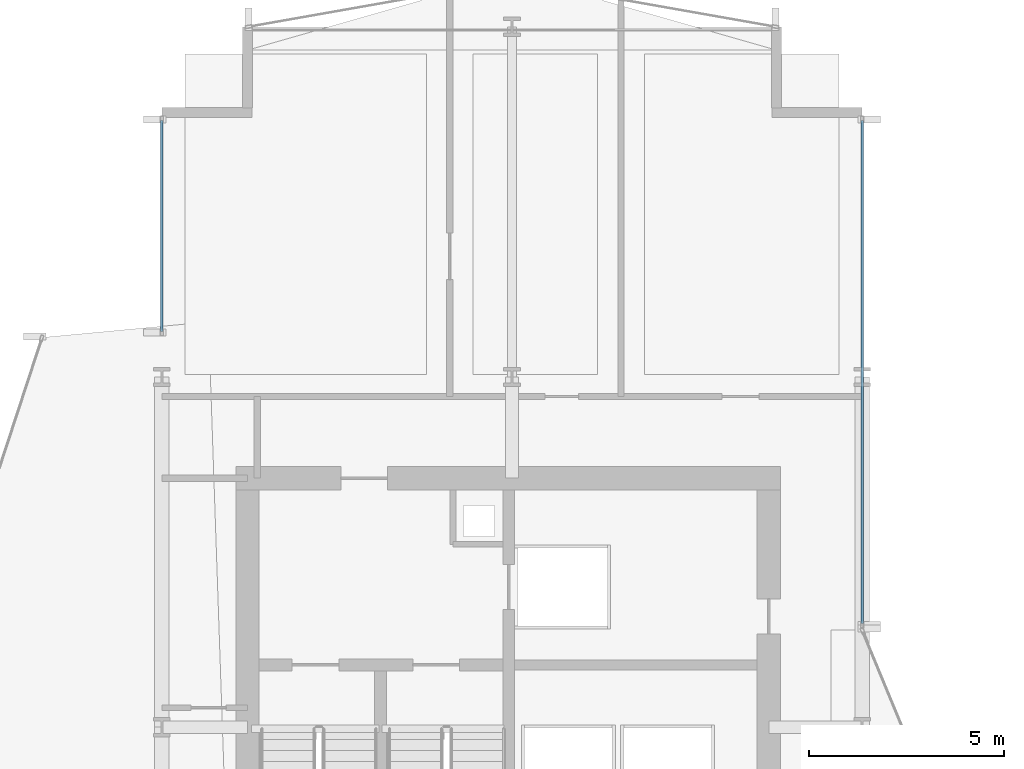
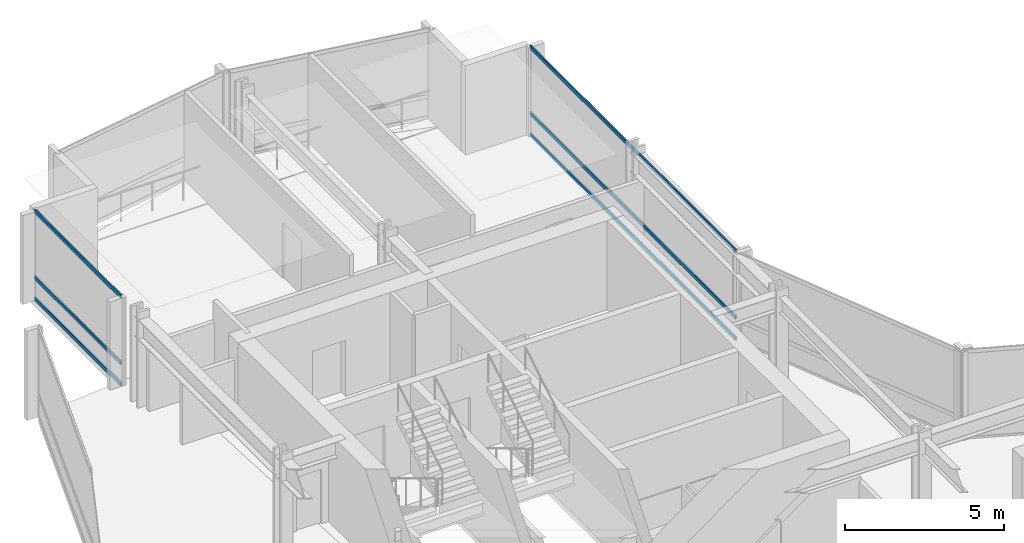
# One storey, part 22 of 34: 6 members, 2 elements without a shape of their own.
"""IFC4 building model written with IfcOpenShell, lengths in metres."""

import ifcopenshell
import ifcopenshell.guid

model = None  # the IFC model being written
_history = None  # IfcOwnerHistory: only IFC2X3 demands one
_inside = {}  # id of a spatial element -> (the spatial element, [elements in it])
_under = {}  # id of a project, library or spatial element -> (it, [spatial elements below it])
_declared = {}  # id of a project -> (the project, [libraries it declares])
_typed = {}  # id of a type object -> (the type object, [elements of that type])
_made_of = {}  # id of a material, layer set ... -> (it, [elements and type objects made of it])


def new_model(schema):
    """Start an empty IFC model of exactly this schema.

    Asked for "IFC4X3", IfcOpenShell would pick the latest addendum, in which some entities
    have other attributes; the version numbers below select the first issue.
    IFC2X3 requires an IfcOwnerHistory on every rooted entity: one is made here for all.
    """
    global model, _history
    if schema == "IFC4X3":
        model = ifcopenshell.file(schema_version=(4, 3, 0, 0))
    else:
        model = ifcopenshell.file(schema=schema)
    _inside.clear()
    _under.clear()
    _declared.clear()
    _typed.clear()
    _made_of.clear()
    _history = None
    if model.schema == "IFC2X3":
        org = make("IfcOrganization", Name="unknown")
        user = make(
            "IfcPersonAndOrganization",
            ThePerson=make("IfcPerson", FamilyName="unknown"),
            TheOrganization=org,
        )
        app = make(
            "IfcApplication",
            ApplicationDeveloper=org,
            Version="unknown",
            ApplicationFullName="unknown",
            ApplicationIdentifier="unknown",
        )
        _history = make(
            "IfcOwnerHistory",
            OwningUser=user,
            OwningApplication=app,
            ChangeAction="ADDED",
            CreationDate=0,
        )
    return model


def make(cls, **values):
    """One entity of the class cls with the attributes given. An attribute that is None is left unset."""
    return model.create_entity(
        cls, **{name: value for name, value in values.items() if value is not None}
    )


def rooted(cls, **values):
    """An entity with a GlobalId (a new one), such as an element, a storey or a relation."""
    return make(cls, GlobalId=ifcopenshell.guid.new(), OwnerHistory=_history, **values)


def si_unit(unit_type, name, prefix=None):
    """IfcSIUnit, for example si_unit("LENGTHUNIT", "METRE", prefix="MILLI")."""
    return make("IfcSIUnit", UnitType=unit_type, Prefix=prefix, Name=name)


def assignment(units):
    """IfcUnitAssignment: the units of a project."""
    return None if units is None else make("IfcUnitAssignment", Units=units)


def point(xyz):
    """IfcCartesianPoint."""
    return None if xyz is None else make("IfcCartesianPoint", Coordinates=xyz)


def direction(xyz):
    """IfcDirection."""
    return None if xyz is None else make("IfcDirection", DirectionRatios=xyz)


def frame(location, z_axis=None, x_axis=None):
    """IfcAxis2Placement3D, a coordinate frame: its origin and axes. An axis left out is left unset."""
    return make(
        "IfcAxis2Placement3D",
        Location=point(location),
        Axis=direction(z_axis),
        RefDirection=direction(x_axis),
    )


def frame_2d(location, x_axis=None):
    """IfcAxis2Placement2D, a coordinate frame in the plane: its origin and x axis."""
    return make(
        "IfcAxis2Placement2D", Location=point(location), RefDirection=direction(x_axis)
    )


def origin():
    """The frame at (0, 0, 0) with its axes left unset."""
    return frame((0.0, 0.0, 0.0))


def origin_2d():
    """The frame at (0, 0) in the plane with its x axis left unset."""
    return frame_2d((0.0, 0.0))


def place(relative_to, where):
    """IfcLocalPlacement: puts the frame where relative to a parent placement (None: the world)."""
    return make(
        "IfcLocalPlacement", PlacementRelTo=relative_to, RelativePlacement=where
    )


def context(
    kind, dimensions, precision=None, world=None, true_north=None, identifier=None
):
    """IfcGeometricRepresentationContext, for example the 3D "Model" context."""
    return make(
        "IfcGeometricRepresentationContext",
        ContextIdentifier=identifier,
        ContextType=kind,
        CoordinateSpaceDimension=dimensions,
        Precision=precision,
        WorldCoordinateSystem=world,
        TrueNorth=true_north,
    )


def subcontext(parent, identifier, kind, view, scale=None):
    """IfcGeometricRepresentationSubContext, for example "Body" below "Model"."""
    return make(
        "IfcGeometricRepresentationSubContext",
        ContextIdentifier=identifier,
        ContextType=kind,
        ParentContext=parent,
        TargetScale=scale,
        TargetView=view,
    )


def project(units=None, contexts=None):
    """IfcProject with its units and contexts."""
    return rooted(
        "IfcProject",
        Name="project",
        RepresentationContexts=contexts,
        UnitsInContext=assignment(units),
    )


def spatial(cls, under=None, at=None, **own):
    """A site, building, storey or space (cls), placed at a placement, below another one or the project."""
    s = rooted(cls, ObjectPlacement=at, **own)
    if under is not None:
        _under.setdefault(under.id(), (under, []))[1].append(s)
    return s


def profile(cls, at=None, kind="AREA", **sizes):
    """A parametric profile (cls). Its sizes go by their IFC names, for example OverallWidth=200.0."""
    return make(cls, ProfileType=kind, Position=at, **sizes)


def hollow_rectangle(**sizes):
    """IfcRectangleHollowProfileDef."""
    return profile("IfcRectangleHollowProfileDef", **sizes)


def extrude(swept, where, along, depth):
    """IfcExtrudedAreaSolid: the profile swept, set in the frame where, extruded along a direction by depth."""
    return make(
        "IfcExtrudedAreaSolid",
        SweptArea=swept,
        Position=where,
        ExtrudedDirection=direction(along),
        Depth=depth,
    )


def shape(context_of_items, identifier, shape_type, items):
    """IfcShapeRepresentation: the items that make up one representation, for example the "Body"."""
    return make(
        "IfcShapeRepresentation",
        ContextOfItems=context_of_items,
        RepresentationIdentifier=identifier,
        RepresentationType=shape_type,
        Items=items,
    )


def material(Name=None, Category=None):
    """IfcMaterial."""
    return make("IfcMaterial", Name=Name, Category=Category)


def layer(
    of_material, thickness, ventilated=None, Name=None, Category=None, Priority=None
):
    """IfcMaterialLayer: one layer of a wall or slab, of a material (None: an air gap)."""
    return make(
        "IfcMaterialLayer",
        Material=of_material,
        LayerThickness=thickness,
        IsVentilated=ventilated,
        Name=Name,
        Category=Category,
        Priority=Priority,
    )


def layer_set(layers, Name=None):
    """IfcMaterialLayerSet."""
    return make("IfcMaterialLayerSet", MaterialLayers=layers, LayerSetName=Name)


def material_profile(
    of_material, cross_section, Name=None, Category=None, Priority=None
):
    """IfcMaterialProfile: a cross section and its material."""
    return make(
        "IfcMaterialProfile",
        Name=Name,
        Material=of_material,
        Profile=cross_section,
        Priority=Priority,
        Category=Category,
    )


def profile_set(profiles, Name=None, composite=None):
    """IfcMaterialProfileSet."""
    return make(
        "IfcMaterialProfileSet",
        Name=Name,
        MaterialProfiles=profiles,
        CompositeProfile=composite,
    )


def made_of(thing, what):
    """Note that an element or type object is made of a material, layer set ...; save() writes the relation."""
    if what is not None:
        _made_of.setdefault(what.id(), (what, []))[1].append(thing)
    return thing


def type_object(cls, material=None, **own):
    """A type object (cls), such as IfcWallType, which elements share."""
    return made_of(rooted(cls, **own), material)


def element(
    cls,
    number,
    at=None,
    inside=None,
    cuts=None,
    type_object=None,
    material=None,
    context=None,
    identifier="Body",
    shape_type=None,
    held_by="IfcProductDefinitionShape",
    body=None,
    shapes=None,
    **own,
):
    """One element of the class cls, such as IfcWall. Its Tag is "e" and its number.

    at: its placement. inside: the storey or other place that contains it. cuts: it is an
    opening in that element (IfcRelVoidsElement). A single representation is given by context,
    identifier, shape_type and body (its items); several are given by shapes. held_by: the class
    of the entity that holds the representations. save() writes the other relations.
    """
    e = rooted(cls, Tag="e%d" % number, ObjectPlacement=at, **own)
    if body is not None:
        shapes = [shape(context, identifier, shape_type, body)]
    if shapes is not None:
        e.Representation = make(held_by, Representations=shapes)
    if inside is not None:
        _inside.setdefault(inside.id(), (inside, []))[1].append(e)
    if cuts is not None:
        rooted(
            "IfcRelVoidsElement", RelatingBuildingElement=cuts, RelatedOpeningElement=e
        )
    if type_object is not None:
        _typed.setdefault(type_object.id(), (type_object, []))[1].append(e)
    return made_of(e, material)


def aggregate(whole, parts):
    """IfcRelAggregates: a whole, such as a stair, and the parts it consists of."""
    return rooted("IfcRelAggregates", RelatingObject=whole, RelatedObjects=parts)


def save(model, path):
    """Write the relations noted so far, then the file.

    IfcRelAggregates (storeys below a building ...), IfcRelContainedInSpatialStructure (elements
    in a storey), IfcRelDefinesByType, IfcRelAssociatesMaterial and IfcRelDeclares: one each for
    every whole, place, type object, material and project.
    """
    for whole, parts in _under.values():
        aggregate(whole, parts)
    for where, things in _inside.values():
        rooted(
            "IfcRelContainedInSpatialStructure",
            RelatedElements=things,
            RelatingStructure=where,
        )
    for kind, things in _typed.values():
        rooted("IfcRelDefinesByType", RelatedObjects=things, RelatingType=kind)
    for what, things in _made_of.values():
        rooted("IfcRelAssociatesMaterial", RelatedObjects=things, RelatingMaterial=what)
    for by, libraries in _declared.values():
        rooted("IfcRelDeclares", RelatingContext=by, RelatedDefinitions=libraries)
    model.write(path)


model = new_model("IFC4")

# Units and contexts
model_context = context("Model", 3, precision=1e-05, world=origin(), true_north=direction((0.0, 1.0)))
body_context = subcontext(model_context, "Body", "Model", "MODEL_VIEW")
ifc_project = project(units=[si_unit("LENGTHUNIT", "METRE"), si_unit("AREAUNIT", "SQUARE_METRE"), si_unit("VOLUMEUNIT", "CUBIC_METRE"), si_unit("PLANEANGLEUNIT", "RADIAN"), si_unit("MASSUNIT", "GRAM", prefix="KILO")], contexts=[model_context])

# Site, building, storey
site_placement = place(None, origin())
site = spatial("IfcSite", under=ifc_project, at=site_placement, CompositionType="ELEMENT")
building_placement = place(site_placement, origin())
building = spatial("IfcBuilding", under=site, at=building_placement, Name="Solvaryn Broadcast Tower", CompositionType="ELEMENT")
storey_placement = place(building_placement, frame((0.0, 0.0, 54.5)))
storey = spatial("IfcBuildingStorey", under=building, at=storey_placement, Name="L12", CompositionType="ELEMENT", Elevation=54.5)

# Curtain wall, members
ifc_material_1 = material(Name="Aluminium and Terracotta Unitised Curtain Wall", Category="masonry")
ifc_layer = layer(ifc_material_1, 0.199951171875)
ifc_layer_set = layer_set([ifc_layer], Name="CW-SYS2-LOWMID")
curtain_wall_type = type_object("IfcCurtainWallType", Name="CW-SYS2-LOWMID", PredefinedType="NOTDEFINED", material=ifc_layer_set)
curtain_wall_1_placement = place(storey_placement, origin())
curtain_wall_1 = element("IfcCurtainWall", 1, at=curtain_wall_1_placement, inside=storey, type_object=curtain_wall_type, Name="L12 Curtain Wall W2", PredefinedType="NOTDEFINED")
ifc_material_2 = material(Name="Anodised Aluminium 6063-T6", Category="aluminium")
ifc_material_profile = material_profile(ifc_material_2, hollow_rectangle(XDim=0.06494140625, YDim=0.14990234375, WallThickness=0.00390625, InnerFilletRadius=0.00390625, OuterFilletRadius=0.008056640625, at=origin_2d()))
ifc_profile_set = profile_set([ifc_material_profile], Name="Anodised Aluminium 6063-T6")
member_type = type_object("IfcMemberType", Name="CW-TRN-150", PredefinedType="USERDEFINED", material=ifc_profile_set)
member_1_placement = place(storey_placement, frame((9.0, 46.176025390625, 0.030029296875), z_axis=(0.0, 1.0, 0.0), x_axis=(-1.0, 0.0, 0.0)))
member_1 = element("IfcMember", 2, at=member_1_placement, type_object=member_type, Name="CWS2 transom 1.1", ObjectType="TRANSOM", PredefinedType="USERDEFINED", context=body_context, shape_type="SweptSolid", body=[
    extrude(hollow_rectangle(XDim=0.06494140625, YDim=0.14990234375, WallThickness=0.00390625, InnerFilletRadius=0.00390625, OuterFilletRadius=0.008056640625, at=origin_2d()), origin(), (0.0, 0.0, 1.0), 5.4140625),
])
member_2_placement = place(storey_placement, frame((9.0, 46.176025390625, 0.85009765625), z_axis=(0.0, 1.0, 0.0), x_axis=(-1.0, 0.0, 0.0)))
member_2 = element("IfcMember", 3, at=member_2_placement, type_object=member_type, Name="CWS2 transom 1.2", ObjectType="TRANSOM", PredefinedType="USERDEFINED", context=body_context, shape_type="SweptSolid", body=[
    extrude(hollow_rectangle(XDim=0.06494140625, YDim=0.14990234375, WallThickness=0.00390625, InnerFilletRadius=0.00390625, OuterFilletRadius=0.008056640625, at=origin_2d()), origin(), (0.0, 0.0, 1.0), 5.4140625),
])
member_3_placement = place(storey_placement, frame((9.0, 46.176025390625, 3.389892578125), z_axis=(0.0, 1.0, 0.0), x_axis=(-1.0, 0.0, 0.0)))
member_3 = element("IfcMember", 4, at=member_3_placement, type_object=member_type, Name="CWS2 transom 1.3", ObjectType="TRANSOM", PredefinedType="USERDEFINED", context=body_context, shape_type="SweptSolid", body=[
    extrude(hollow_rectangle(XDim=0.06494140625, YDim=0.14990234375, WallThickness=0.00390625, InnerFilletRadius=0.00390625, OuterFilletRadius=0.008056640625, at=origin_2d()), origin(), (0.0, 0.0, 1.0), 5.4140625),
])
aggregate(curtain_wall_1, [member_1, member_2, member_3])

curtain_wall_2_placement = place(storey_placement, origin())
curtain_wall_2 = element("IfcCurtainWall", 5, at=curtain_wall_2_placement, inside=storey, type_object=curtain_wall_type, Name="L12 Curtain Wall IV", PredefinedType="NOTDEFINED")
member_4_placement = place(storey_placement, frame((27.0, 51.590087890625, 0.030029296875), z_axis=(0.0, -1.0, 0.0), x_axis=(1.0, 0.0, 0.0)))
member_4 = element("IfcMember", 6, at=member_4_placement, type_object=member_type, Name="CWS2 transom 1.1", ObjectType="TRANSOM", PredefinedType="USERDEFINED", context=body_context, shape_type="SweptSolid", body=[
    extrude(hollow_rectangle(XDim=0.06494140625, YDim=0.14990234375, WallThickness=0.00390625, InnerFilletRadius=0.00390625, OuterFilletRadius=0.008056640625, at=origin_2d()), origin(), (0.0, 0.0, 1.0), 12.93017578125),
])
member_5_placement = place(storey_placement, frame((27.0, 51.590087890625, 0.85009765625), z_axis=(0.0, -1.0, 0.0), x_axis=(1.0, 0.0, 0.0)))
member_5 = element("IfcMember", 7, at=member_5_placement, type_object=member_type, Name="CWS2 transom 1.2", ObjectType="TRANSOM", PredefinedType="USERDEFINED", context=body_context, shape_type="SweptSolid", body=[
    extrude(hollow_rectangle(XDim=0.06494140625, YDim=0.14990234375, WallThickness=0.00390625, InnerFilletRadius=0.00390625, OuterFilletRadius=0.008056640625, at=origin_2d()), origin(), (0.0, 0.0, 1.0), 12.93017578125),
])
member_6_placement = place(storey_placement, frame((27.0, 51.590087890625, 3.389892578125), z_axis=(0.0, -1.0, 0.0), x_axis=(1.0, 0.0, 0.0)))
member_6 = element("IfcMember", 8, at=member_6_placement, type_object=member_type, Name="CWS2 transom 1.3", ObjectType="TRANSOM", PredefinedType="USERDEFINED", context=body_context, shape_type="SweptSolid", body=[
    extrude(hollow_rectangle(XDim=0.06494140625, YDim=0.14990234375, WallThickness=0.00390625, InnerFilletRadius=0.00390625, OuterFilletRadius=0.008056640625, at=origin_2d()), origin(), (0.0, 0.0, 1.0), 12.93017578125),
])
aggregate(curtain_wall_2, [member_4, member_5, member_6])

save(model, "model.ifc")
